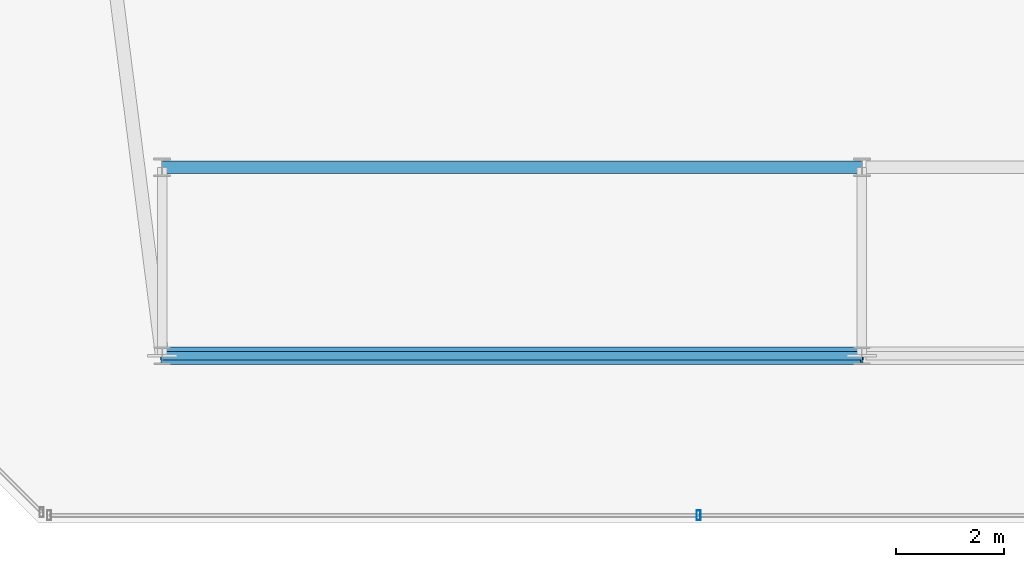
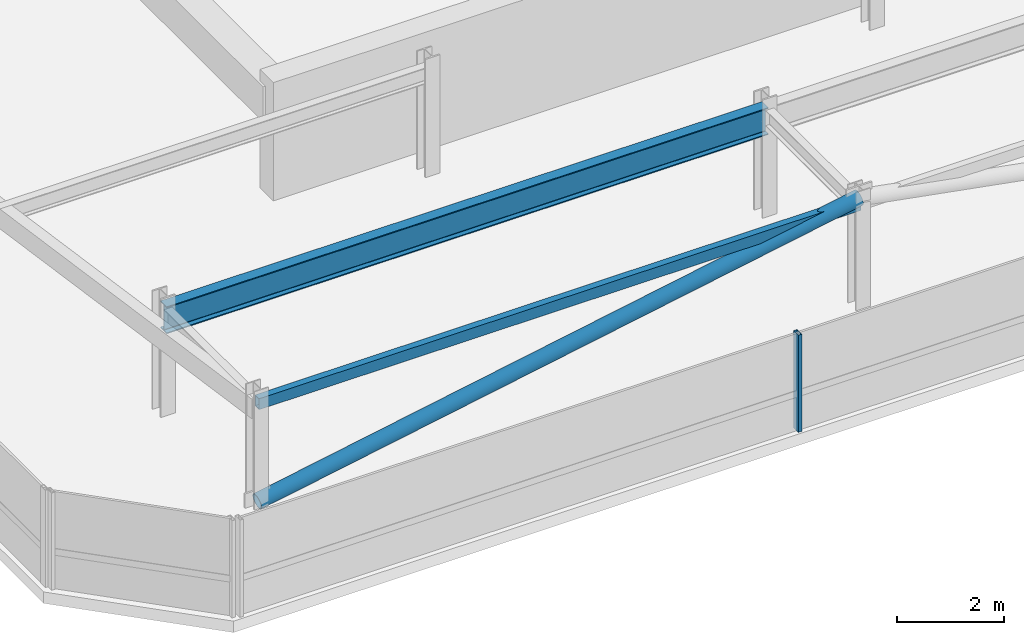
# One storey, part 8 of 42: 2 beams, 2 members, 1 element without a shape of its own.
"""IFC4 building model written with IfcOpenShell, lengths in metres."""

from ifc_helpers import new_model, si_unit, direction, frame, origin, origin_2d, place, context, subcontext, project, spatial, hollow_rectangle, hollow_circle, i_section, extrude, material, material_profile, profile_set, type_object, element, aggregate, save


model = new_model("IFC4")

# Units and contexts
model_context = context("Model", 3, precision=1e-05, world=origin(), true_north=direction((0.0, 1.0)))
body_context = subcontext(model_context, "Body", "Model", "MODEL_VIEW")
ifc_project = project(units=[si_unit("LENGTHUNIT", "METRE"), si_unit("AREAUNIT", "SQUARE_METRE"), si_unit("VOLUMEUNIT", "CUBIC_METRE"), si_unit("PLANEANGLEUNIT", "RADIAN"), si_unit("MASSUNIT", "GRAM", prefix="KILO")], contexts=[model_context])

# Site, building, storey
site_placement = place(None, origin())
site = spatial("IfcSite", under=ifc_project, at=site_placement, CompositionType="ELEMENT")
building_placement = place(site_placement, origin())
building = spatial("IfcBuilding", under=site, at=building_placement, Name="Thornwick Lancets Civic Towers", CompositionType="ELEMENT")
storey_placement = place(building_placement, frame((0.0, 0.0, 284.10009765625)))
storey = spatial("IfcBuildingStorey", under=building, at=storey_placement, Name="C02", CompositionType="ELEMENT", Elevation=284.10009765625)

# Beams
ifc_material_1 = material(Name="Steel S355JR", Category="steel")
ifc_material_profile_1 = material_profile(ifc_material_1, hollow_rectangle(XDim=0.14990234375, YDim=0.25, WallThickness=0.012451171875, at=origin_2d()), Name="RHS 250x150x12.5")
ifc_profile_set_1 = profile_set([ifc_material_profile_1], Name="Steel S355JR")
beam_type_1 = type_object("IfcBeamType", Name="BM_CROWN_RHS250", PredefinedType="BEAM", material=ifc_profile_set_1)
beam_1_placement = place(storey_placement, frame((12.5, 6.199951171875, 2.31494140625), z_axis=(1.0, 0.0, 0.0), x_axis=(0.0, 1.0, 0.0)))
element("IfcBeam", 1, at=beam_1_placement, inside=storey, type_object=beam_type_1, Name="BM-EDGE-C02-A-S0-1", PredefinedType="BEAM", context=body_context, shape_type="SweptSolid", body=[
    extrude(hollow_rectangle(XDim=0.14990234375, YDim=0.25, WallThickness=0.012451171875, at=origin_2d()), origin(), (0.0, 0.0, 1.0), 13.0),
])
ifc_material_profile_2 = material_profile(ifc_material_1, i_section(OverallWidth=0.230224609375, OverallDepth=0.6171875, WebThickness=0.01318359375, FlangeThickness=0.022216796875, FilletRadius=0.0126953125, at=origin_2d()), Name="UKB 610x229x140")
ifc_profile_set_2 = profile_set([ifc_material_profile_2], Name="Steel S355JR")
beam_type_2 = type_object("IfcBeamType", Name="BM_GIRD_610_140", PredefinedType="BEAM", material=ifc_profile_set_2)
beam_2_placement = place(storey_placement, frame((12.5, 9.699951171875, 2.13134765625), z_axis=(1.0, 0.0, 0.0), x_axis=(0.0, 1.0, 0.0)))
element("IfcBeam", 2, at=beam_2_placement, inside=storey, type_object=beam_type_2, Name="BM-SPINE-C02-A-0-1", PredefinedType="BEAM", context=body_context, shape_type="SweptSolid", body=[
    extrude(i_section(OverallWidth=0.230224609375, OverallDepth=0.6171875, WebThickness=0.01318359375, FlangeThickness=0.022216796875, FilletRadius=0.0126953125, at=origin_2d()), origin(), (0.0, 0.0, 1.0), 13.0),
])

# Curtain wall, member
ifc_material_2 = material(Name="Crown ring acoustic-louvre and glazing screen wall", Category="glass")
curtain_wall_type = type_object("IfcCurtainWallType", Name="CW_SYS_07", PredefinedType="NOTDEFINED", material=ifc_material_2)
curtain_wall_placement = place(storey_placement, origin())
curtain_wall = element("IfcCurtainWall", 3, at=curtain_wall_placement, inside=storey, type_object=curtain_wall_type, Name="C02 Curtain Wall CW-C02-A-E0", PredefinedType="NOTDEFINED")
ifc_material_3 = material(Name="Thermally broken bronze aluminium S355", Category="steel")
ifc_material_profile_3 = material_profile(ifc_material_3, hollow_rectangle(XDim=0.074951171875, YDim=0.179931640625, WallThickness=0.006103515625, at=origin_2d()), Name="RHS 180x75x6")
ifc_profile_set_3 = profile_set([ifc_material_profile_3], Name="Thermally broken bronze aluminium S355")
member_type_1 = type_object("IfcMemberType", Name="CW_MUL_180", PredefinedType="MULLION", material=ifc_profile_set_3)
member_1_placement = place(storey_placement, frame((22.46630859375, 3.2353515625, 0.0), z_axis=(0.0, 0.0, 1.0), x_axis=(1.0, 0.0, 0.0)))
member_1 = element("IfcMember", 4, at=member_1_placement, type_object=member_type_1, Name="CW-C02-A-E0 Mullion 1", PredefinedType="MULLION", context=body_context, shape_type="SweptSolid", body=[
    extrude(hollow_rectangle(XDim=0.074951171875, YDim=0.179931640625, WallThickness=0.006103515625, at=origin_2d()), origin(), (0.0, 0.0, 1.0), 2.219970703125),
])
aggregate(curtain_wall, [member_1])

# Member
ifc_material_profile_4 = material_profile(ifc_material_1, hollow_circle(Radius=0.161865234375, WallThickness=0.01611328125, at=origin_2d()), Name="CHS 323.9x16")
ifc_profile_set_4 = profile_set([ifc_material_profile_4], Name="Steel S355JR")
member_type_2 = type_object("IfcMemberType", Name="MEM_CROWN_CHS324", PredefinedType="BRACE", material=ifc_profile_set_4)
member_2_placement = place(storey_placement, frame((12.5, 6.199951171875, 0.0498046875), z_axis=(0.983515136313, 0.0, 0.180825818519), x_axis=(0.0, 1.0, 0.0)))
element("IfcMember", 5, at=member_2_placement, inside=storey, type_object=member_type_2, Name="C02 Crown Ring Lancet Rib A-S0-L", PredefinedType="BRACE", context=body_context, shape_type="SweptSolid", body=[
    extrude(hollow_circle(Radius=0.161865234375, WallThickness=0.01611328125, at=origin_2d()), origin(), (0.0, 0.0, 1.0), 13.2177734375),
])

save(model, "model.ifc")
